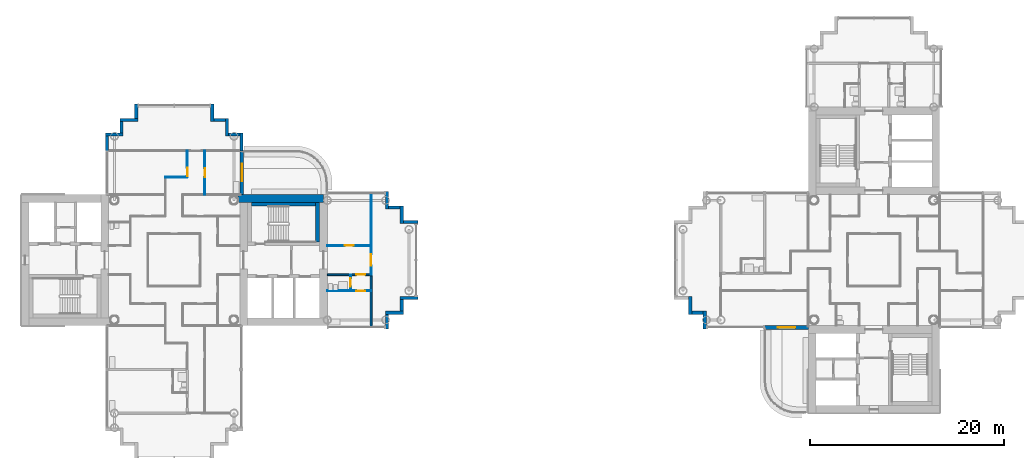
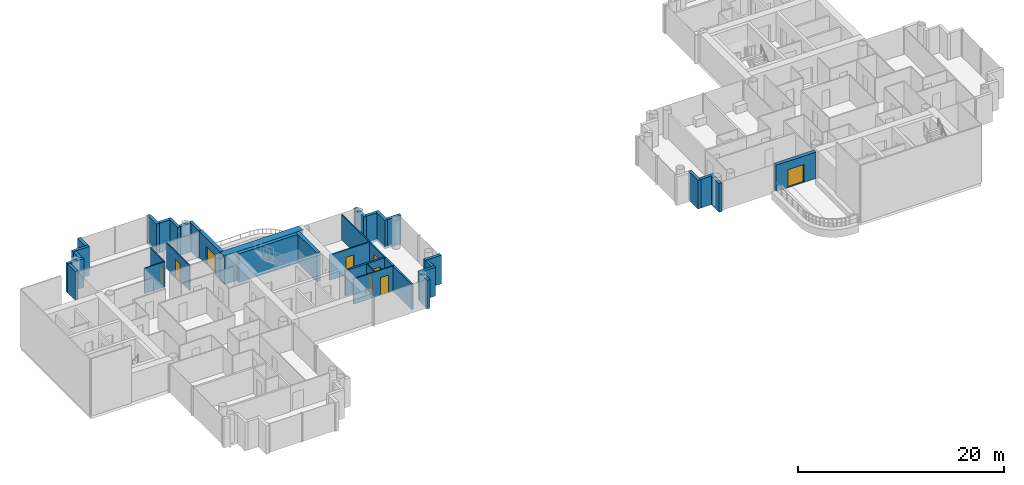
# One storey, part 9 of 19: 35 walls, 9 doors, 9 openings.
"""IFC4 building model written with IfcOpenShell, lengths in metres."""

from ifc_helpers import new_model, si_unit, direction, frame, frame_2d, origin, place, context, subcontext, project, spatial, rectangle, extrude, material, layer, layer_set, type_object, element, fill, save


model = new_model("IFC4")

# Units and contexts
model_context = context("Model", 3, precision=1e-05, world=origin(), true_north=direction((0.0, 1.0)))
body_context = subcontext(model_context, "Body", "Model", "MODEL_VIEW")
ifc_project = project(units=[si_unit("LENGTHUNIT", "METRE"), si_unit("AREAUNIT", "SQUARE_METRE"), si_unit("VOLUMEUNIT", "CUBIC_METRE"), si_unit("PLANEANGLEUNIT", "RADIAN"), si_unit("MASSUNIT", "GRAM", prefix="KILO")], contexts=[model_context])

# Site, building, storey
site_placement = place(None, origin())
site = spatial("IfcSite", under=ifc_project, at=site_placement, CompositionType="ELEMENT")
building_placement = place(site_placement, origin())
building = spatial("IfcBuilding", under=site, at=building_placement, Name="Ipe Terrace Towers", CompositionType="ELEMENT")
storey_placement = place(building_placement, frame((0.0, 0.0, 174.5)))
storey = spatial("IfcBuildingStorey", under=building, at=storey_placement, Name="L48", CompositionType="ELEMENT", Elevation=174.5)

# Wall, opening, door
ifc_material_1 = material(Name="Concrete C40/50 with buff precast cladding", Category="concrete")
ifc_layer_1 = layer(ifc_material_1, 0.39990234375)
ifc_layer_set_1 = layer_set([ifc_layer_1], Name="BALCONY BAY WALL 400")
wall_type_1 = type_object("IfcWallType", Name="BALCONY BAY WALL 400", PredefinedType="STANDARD", material=ifc_layer_set_1)
wall_1_placement = place(storey_placement, frame((-29.050048828125, 6.75, -0.02001953125), z_axis=(0.0, 0.0, 1.0), x_axis=(0.0, 1.0, 0.0)))
wall_1 = element("IfcWall", 1, at=wall_1_placement, inside=storey, type_object=wall_type_1, Name="T1-W-L48-28a wall", PredefinedType="STANDARD", context=body_context, shape_type="SweptSolid", body=[
    extrude(rectangle(XDim=4.5, YDim=0.39990234375, at=frame_2d((2.25, 0.0))), origin(), (0.0, 0.0, 1.0), 3.1201171875),
])
opening_1_placement = place(wall_1_placement, frame((1.35009765625, 0.0, 0.02001953125)))
opening_1 = element("IfcOpeningElement", 2, at=opening_1_placement, cuts=wall_1, Name="Opening T1-D-L48-28", PredefinedType="OPENING", context=body_context, shape_type="SweptSolid", body=[
    extrude(rectangle(XDim=1.800048828125, YDim=2.10009765625, at=frame_2d((0.89990234375, 1.050048828125))), frame((0.0, 0.2099609375, 0.0), z_axis=(0.0, -1.0, 0.0), x_axis=(1.0, 0.0, 0.0)), (0.0, 0.0, 1.0), 0.419921875),
])
ifc_material_2 = material(Name="Aluminium alloy 6063-T6 framed glazed door", Category="aluminium")
door_type_1 = type_object("IfcDoorType", Name="BALCONY DOOR 1800 x 2100 LEFT", OperationType="SINGLE_SWING_LEFT", PredefinedType="DOOR", material=ifc_material_2)
door_1_placement = place(opening_1_placement, origin())
door_1 = element("IfcDoor", 3, at=door_1_placement, inside=storey, type_object=door_type_1, Name="DB1 door", OperationType="SINGLE_SWING_LEFT", OverallHeight=2.10009765625, OverallWidth=1.800048828125, PredefinedType="DOOR", context=body_context, shape_type="SweptSolid", body=[
    extrude(rectangle(XDim=1.800048828125, YDim=2.10009765625, at=frame_2d((0.89990234375, 1.050048828125))), frame((0.0, 0.02490234375, 0.0), z_axis=(0.0, -1.0, 0.0), x_axis=(1.0, 0.0, 0.0)), (0.0, 0.0, 1.0), 0.050048828125),
])
fill(opening_1, door_1)

wall_2_placement = place(storey_placement, frame((24.75, -6.949951171875, -0.02001953125), z_axis=(0.0, 0.0, 1.0), x_axis=(1.0, 0.0, 0.0)))
wall_2 = element("IfcWall", 4, at=wall_2_placement, inside=storey, type_object=wall_type_1, Name="T2-W-L48-40a wall", PredefinedType="STANDARD", context=body_context, shape_type="SweptSolid", body=[
    extrude(rectangle(XDim=4.5, YDim=0.39990234375, at=frame_2d((2.25, 0.0))), origin(), (0.0, 0.0, 1.0), 3.1201171875),
])
opening_2_placement = place(wall_2_placement, frame((1.35009765625, 0.0, 0.02001953125)))
opening_2 = element("IfcOpeningElement", 5, at=opening_2_placement, cuts=wall_2, Name="Opening T2-D-L48-40", PredefinedType="OPENING", context=body_context, shape_type="SweptSolid", body=[
    extrude(rectangle(XDim=1.800048828125, YDim=2.10009765625, at=frame_2d((0.89990234375, 1.050048828125))), frame((0.0, 0.2099609375, 0.0), z_axis=(0.0, -1.0, 0.0), x_axis=(1.0, 0.0, 0.0)), (0.0, 0.0, 1.0), 0.419921875),
])
ifc_material_3 = material(Name="Aluminium alloy 6063-T6 framed glazed door", Category="aluminium")
door_type_2 = type_object("IfcDoorType", Name="BALCONY DOOR 1800 x 2100 RIGHT", OperationType="SINGLE_SWING_RIGHT", PredefinedType="DOOR", material=ifc_material_3)
door_2_placement = place(opening_2_placement, origin())
door_2 = element("IfcDoor", 6, at=door_2_placement, inside=storey, type_object=door_type_2, Name="DB2 door", OperationType="SINGLE_SWING_RIGHT", OverallHeight=2.10009765625, OverallWidth=1.800048828125, PredefinedType="DOOR", context=body_context, shape_type="SweptSolid", body=[
    extrude(rectangle(XDim=1.800048828125, YDim=2.10009765625, at=frame_2d((0.89990234375, 1.050048828125))), frame((0.0, 0.02490234375, 0.0), z_axis=(0.0, -1.0, 0.0), x_axis=(1.0, 0.0, 0.0)), (0.0, 0.0, 1.0), 0.050048828125),
])
fill(opening_2, door_2)

# Walls
ifc_material_4 = material(Name="Concrete C40/50 with buff precast cladding", Category="concrete")
ifc_layer_2 = layer(ifc_material_4, 0.320068359375)
ifc_layer_set_2 = layer_set([ifc_layer_2], Name="BUFF CLADDING WALL 320")
wall_type_2 = type_object("IfcWallType", Name="BUFF CLADDING WALL 320", PredefinedType="STANDARD", material=ifc_layer_set_2)
wall_3_placement = place(storey_placement, frame((-14.090087890625, -7.070068359375, -0.300048828125), z_axis=(0.0, 0.0, 1.0), x_axis=(0.0, 1.0, 0.0)))
element("IfcWall", 7, at=wall_3_placement, inside=storey, type_object=wall_type_2, Name="T1-W-L48-17a wall", PredefinedType="STANDARD", context=body_context, shape_type="SweptSolid", body=[
    extrude(rectangle(XDim=1.5, YDim=0.320068359375, at=frame_2d((0.75, 0.0))), origin(), (0.0, 0.0, 1.0), 3.400146484375),
])
wall_4_placement = place(storey_placement, frame((-14.25, -5.409912109375, -0.300048828125), z_axis=(0.0, 0.0, 1.0), x_axis=(1.0, 0.0, 0.0)))
element("IfcWall", 8, at=wall_4_placement, inside=storey, type_object=wall_type_2, Name="T1-W-L48-18a wall", PredefinedType="STANDARD", context=body_context, shape_type="SweptSolid", body=[
    extrude(rectangle(XDim=1.820068359375, YDim=0.320068359375, at=frame_2d((0.91015625, 0.0))), origin(), (0.0, 0.0, 1.0), 3.400146484375),
])
wall_5_placement = place(storey_placement, frame((-12.590087890625, -5.25, -0.300048828125), z_axis=(0.0, 0.0, 1.0), x_axis=(0.0, 1.0, 0.0)))
element("IfcWall", 9, at=wall_5_placement, inside=storey, type_object=wall_type_2, Name="T1-W-L48-19a wall", PredefinedType="STANDARD", context=body_context, shape_type="SweptSolid", body=[
    extrude(rectangle(XDim=1.179931640625, YDim=0.320068359375, at=frame_2d((0.58984375, 0.0))), origin(), (0.0, 0.0, 1.0), 3.400146484375),
])
wall_6_placement = place(storey_placement, frame((-12.75, -3.909912109375, -0.300048828125), z_axis=(0.0, 0.0, 1.0), x_axis=(1.0, 0.0, 0.0)))
element("IfcWall", 10, at=wall_6_placement, inside=storey, type_object=wall_type_2, Name="T1-W-L48-20a wall", PredefinedType="STANDARD", context=body_context, shape_type="SweptSolid", body=[
    extrude(rectangle(XDim=1.820068359375, YDim=0.320068359375, at=frame_2d((0.91015625, 0.0))), origin(), (0.0, 0.0, 1.0), 3.400146484375),
])
wall_7_placement = place(storey_placement, frame((-10.929931640625, 3.909912109375, -0.300048828125), z_axis=(0.0, 0.0, 1.0), x_axis=(-1.0, 0.0, 0.0)))
element("IfcWall", 11, at=wall_7_placement, inside=storey, type_object=wall_type_2, Name="T1-W-L48-22a wall", PredefinedType="STANDARD", context=body_context, shape_type="SweptSolid", body=[
    extrude(rectangle(XDim=1.5, YDim=0.320068359375, at=frame_2d((0.75, 0.0))), origin(), (0.0, 0.0, 1.0), 3.400146484375),
])
wall_8_placement = place(storey_placement, frame((-12.590087890625, 3.75, -0.300048828125), z_axis=(0.0, 0.0, 1.0), x_axis=(0.0, 1.0, 0.0)))
element("IfcWall", 12, at=wall_8_placement, inside=storey, type_object=wall_type_2, Name="T1-W-L48-23a wall", PredefinedType="STANDARD", context=body_context, shape_type="SweptSolid", body=[
    extrude(rectangle(XDim=1.820068359375, YDim=0.320068359375, at=frame_2d((0.91015625, 0.0))), origin(), (0.0, 0.0, 1.0), 3.400146484375),
])
wall_9_placement = place(storey_placement, frame((-12.75, 5.409912109375, -0.300048828125), z_axis=(0.0, 0.0, 1.0), x_axis=(-1.0, 0.0, 0.0)))
element("IfcWall", 13, at=wall_9_placement, inside=storey, type_object=wall_type_2, Name="T1-W-L48-24a wall", PredefinedType="STANDARD", context=body_context, shape_type="SweptSolid", body=[
    extrude(rectangle(XDim=1.179931640625, YDim=0.320068359375, at=frame_2d((0.58984375, 0.0))), origin(), (0.0, 0.0, 1.0), 3.400146484375),
])
for number, where, z_axis, x_axis, name in (
    (14, (-14.090087890625, 5.25, -0.300048828125), (0.0, 0.0, 1.0), (0.0, 1.0, 0.0), "T1-W-L48-25a wall"),
    (15, (-29.090087890625, 11.25, -0.300048828125), (0.0, 0.0, 1.0), (0.0, 1.0, 0.0), "T1-W-L48-29a wall"),
):
    element("IfcWall", number, at=place(storey_placement, frame(where, z_axis=z_axis, x_axis=x_axis)), inside=storey, type_object=wall_type_2, Name=name, PredefinedType="STANDARD", context=body_context, shape_type="SweptSolid", body=[
        extrude(rectangle(XDim=1.820068359375, YDim=0.320068359375, at=frame_2d((0.91015625, 0.0))), origin(), (0.0, 0.0, 1.0), 3.400146484375),
    ])
wall_10_placement = place(storey_placement, frame((-29.25, 12.909912109375, -0.300048828125), z_axis=(0.0, 0.0, 1.0), x_axis=(-1.0, 0.0, 0.0)))
element("IfcWall", 16, at=wall_10_placement, inside=storey, type_object=wall_type_2, Name="T1-W-L48-30a wall", PredefinedType="STANDARD", context=body_context, shape_type="SweptSolid", body=[
    extrude(rectangle(XDim=1.179931640625, YDim=0.320068359375, at=frame_2d((0.58984375, 0.0))), origin(), (0.0, 0.0, 1.0), 3.400146484375),
])
wall_11_placement = place(storey_placement, frame((-30.590087890625, 12.75, -0.300048828125), z_axis=(0.0, 0.0, 1.0), x_axis=(0.0, 1.0, 0.0)))
element("IfcWall", 17, at=wall_11_placement, inside=storey, type_object=wall_type_2, Name="T1-W-L48-31a wall", PredefinedType="STANDARD", context=body_context, shape_type="SweptSolid", body=[
    extrude(rectangle(XDim=1.820068359375, YDim=0.320068359375, at=frame_2d((0.91015625, 0.0))), origin(), (0.0, 0.0, 1.0), 3.400146484375),
])
wall_12_placement = place(storey_placement, frame((-30.75, 14.409912109375, -0.300048828125), z_axis=(0.0, 0.0, 1.0), x_axis=(-1.0, 0.0, 0.0)))
element("IfcWall", 18, at=wall_12_placement, inside=storey, type_object=wall_type_2, Name="T1-W-L48-32a wall", PredefinedType="STANDARD", context=body_context, shape_type="SweptSolid", body=[
    extrude(rectangle(XDim=1.179931640625, YDim=0.320068359375, at=frame_2d((0.58984375, 0.0))), origin(), (0.0, 0.0, 1.0), 3.400146484375),
])
wall_13_placement = place(storey_placement, frame((-32.090087890625, 14.25, -0.300048828125), z_axis=(0.0, 0.0, 1.0), x_axis=(0.0, 1.0, 0.0)))
element("IfcWall", 19, at=wall_13_placement, inside=storey, type_object=wall_type_2, Name="T1-W-L48-33a wall", PredefinedType="STANDARD", context=body_context, shape_type="SweptSolid", body=[
    extrude(rectangle(XDim=1.820068359375, YDim=0.320068359375, at=frame_2d((0.91015625, 0.0))), origin(), (0.0, 0.0, 1.0), 3.400146484375),
])
wall_14_placement = place(storey_placement, frame((-39.909912109375, 16.070068359375, -0.300048828125), z_axis=(0.0, 0.0, 1.0), x_axis=(0.0, -1.0, 0.0)))
element("IfcWall", 20, at=wall_14_placement, inside=storey, type_object=wall_type_2, Name="T1-W-L48-35a wall", PredefinedType="STANDARD", context=body_context, shape_type="SweptSolid", body=[
    extrude(rectangle(XDim=1.5, YDim=0.320068359375, at=frame_2d((0.75, 0.0))), origin(), (0.0, 0.0, 1.0), 3.400146484375),
])
wall_15_placement = place(storey_placement, frame((-39.75, 14.409912109375, -0.300048828125), z_axis=(0.0, 0.0, 1.0), x_axis=(-1.0, 0.0, 0.0)))
element("IfcWall", 21, at=wall_15_placement, inside=storey, type_object=wall_type_2, Name="T1-W-L48-36a wall", PredefinedType="STANDARD", context=body_context, shape_type="SweptSolid", body=[
    extrude(rectangle(XDim=1.820068359375, YDim=0.320068359375, at=frame_2d((0.91015625, 0.0))), origin(), (0.0, 0.0, 1.0), 3.400146484375),
])
wall_16_placement = place(storey_placement, frame((-41.409912109375, 14.25, -0.300048828125), z_axis=(0.0, 0.0, 1.0), x_axis=(0.0, -1.0, 0.0)))
element("IfcWall", 22, at=wall_16_placement, inside=storey, type_object=wall_type_2, Name="T1-W-L48-37a wall", PredefinedType="STANDARD", context=body_context, shape_type="SweptSolid", body=[
    extrude(rectangle(XDim=1.179931640625, YDim=0.320068359375, at=frame_2d((0.58984375, 0.0))), origin(), (0.0, 0.0, 1.0), 3.400146484375),
])
wall_17_placement = place(storey_placement, frame((-41.25, 12.909912109375, -0.300048828125), z_axis=(0.0, 0.0, 1.0), x_axis=(-1.0, 0.0, 0.0)))
element("IfcWall", 23, at=wall_17_placement, inside=storey, type_object=wall_type_2, Name="T1-W-L48-38a wall", PredefinedType="STANDARD", context=body_context, shape_type="SweptSolid", body=[
    extrude(rectangle(XDim=1.820068359375, YDim=0.320068359375, at=frame_2d((0.91015625, 0.0))), origin(), (0.0, 0.0, 1.0), 3.400146484375),
])
wall_18_placement = place(storey_placement, frame((-42.909912109375, 12.75, -0.300048828125), z_axis=(0.0, 0.0, 1.0), x_axis=(0.0, -1.0, 0.0)))
element("IfcWall", 24, at=wall_18_placement, inside=storey, type_object=wall_type_2, Name="T1-W-L48-39a wall", PredefinedType="STANDARD", context=body_context, shape_type="SweptSolid", body=[
    extrude(rectangle(XDim=1.5, YDim=0.320068359375, at=frame_2d((0.75, 0.0))), origin(), (0.0, 0.0, 1.0), 3.400146484375),
])
wall_19_placement = place(storey_placement, frame((17.090087890625, -3.75, -0.300048828125), z_axis=(0.0, 0.0, 1.0), x_axis=(0.0, -1.0, 0.0)))
element("IfcWall", 25, at=wall_19_placement, inside=storey, type_object=wall_type_2, Name="T2-W-L48-36a wall", PredefinedType="STANDARD", context=body_context, shape_type="SweptSolid", body=[
    extrude(rectangle(XDim=1.820068359375, YDim=0.320068359375, at=frame_2d((0.91015625, 0.0))), origin(), (0.0, 0.0, 1.0), 3.400146484375),
])
wall_20_placement = place(storey_placement, frame((17.25, -5.409912109375, -0.300048828125), z_axis=(0.0, 0.0, 1.0), x_axis=(1.0, 0.0, 0.0)))
element("IfcWall", 26, at=wall_20_placement, inside=storey, type_object=wall_type_2, Name="T2-W-L48-37a wall", PredefinedType="STANDARD", context=body_context, shape_type="SweptSolid", body=[
    extrude(rectangle(XDim=1.179931640625, YDim=0.320068359375, at=frame_2d((0.58984375, 0.0))), origin(), (0.0, 0.0, 1.0), 3.400146484375),
])
wall_21_placement = place(storey_placement, frame((18.590087890625, -5.25, -0.300048828125), z_axis=(0.0, 0.0, 1.0), x_axis=(0.0, -1.0, 0.0)))
element("IfcWall", 27, at=wall_21_placement, inside=storey, type_object=wall_type_2, Name="T2-W-L48-38a wall", PredefinedType="STANDARD", context=body_context, shape_type="SweptSolid", body=[
    extrude(rectangle(XDim=1.820068359375, YDim=0.320068359375, at=frame_2d((0.91015625, 0.0))), origin(), (0.0, 0.0, 1.0), 3.400146484375),
])

# Wall, opening, door
ifc_material_5 = material(Name="Gypsum board partition", Category="plasterboard")
ifc_layer_3 = layer(ifc_material_5, 0.10009765625)
ifc_layer_set_3 = layer_set([ifc_layer_3], Name="Gypsum board partition 100 mm")
wall_type_3 = type_object("IfcWallType", Name="Gypsum board partition 100 mm", PredefinedType="PARTITIONING", material=ifc_layer_set_3)
wall_22_placement = place(storey_placement, frame((-34.64990234375, 8.550048828125, 0.0), z_axis=(0.0, 0.0, 1.0), x_axis=(0.0, 1.0, 0.0)))
wall_22 = element("IfcWall", 28, at=wall_22_placement, inside=storey, type_object=wall_type_3, Name="Gypsum board partition T1 L48 W10", PredefinedType="PARTITIONING", context=body_context, shape_type="SweptSolid", body=[
    extrude(rectangle(XDim=2.699951171875, YDim=0.10009765625, at=frame_2d((1.35009765625, 0.0))), origin(), (0.0, 0.0, 1.0), 3.0),
])
opening_3_placement = place(wall_22_placement, frame((0.070068359375, 0.0, 0.0)))
opening_3 = element("IfcOpeningElement", 29, at=opening_3_placement, cuts=wall_22, Name="Opening T1-Z3D-10", PredefinedType="OPENING", context=body_context, shape_type="SweptSolid", body=[
    extrude(rectangle(XDim=0.89990234375, YDim=2.10009765625, at=frame_2d((0.449951171875, 1.050048828125))), frame((0.0, 0.06005859375, 0.0), z_axis=(0.0, -1.0, 0.0), x_axis=(1.0, 0.0, 0.0)), (0.0, 0.0, 1.0), 0.1201171875),
])
ifc_material_6 = material(Name="Timber door leaf", Category="wood")
door_type_3 = type_object("IfcDoorType", Name="Lounge door 900 x 2100", OperationType="NOTDEFINED", PredefinedType="DOOR", material=ifc_material_6)
door_3_placement = place(opening_3_placement, origin())
door_3 = element("IfcDoor", 30, at=door_3_placement, inside=storey, type_object=door_type_3, Name="Lounge door T1-Z3D-10", OperationType="SINGLE_SWING_RIGHT", OverallHeight=2.10009765625, OverallWidth=0.89990234375, PredefinedType="DOOR", context=body_context, shape_type="SweptSolid", body=[
    extrude(rectangle(XDim=0.89990234375, YDim=2.10009765625, at=frame_2d((0.449951171875, 1.050048828125))), frame((0.0, 0.02490234375, 0.0), z_axis=(0.0, -1.0, 0.0), x_axis=(1.0, 0.0, 0.0)), (0.0, 0.0, 1.0), 0.050048828125),
])
fill(opening_3, door_3)

wall_23_placement = place(storey_placement, frame((-32.85009765625, 6.75, 0.0), z_axis=(0.0, 0.0, 1.0), x_axis=(0.0, 1.0, 0.0)))
wall_23 = element("IfcWall", 31, at=wall_23_placement, inside=storey, type_object=wall_type_3, Name="Gypsum board partition T1 L48 W14", PredefinedType="PARTITIONING", context=body_context, shape_type="SweptSolid", body=[
    extrude(rectangle(XDim=4.5, YDim=0.10009765625, at=frame_2d((2.25, 0.0))), origin(), (0.0, 0.0, 1.0), 3.0),
])
opening_4_placement = place(wall_23_placement, frame((1.800048828125, 0.0, 0.0)))
opening_4 = element("IfcOpeningElement", 32, at=opening_4_placement, cuts=wall_23, Name="Opening T1-Z3D-11", PredefinedType="OPENING", context=body_context, shape_type="SweptSolid", body=[
    extrude(rectangle(XDim=0.89990234375, YDim=2.10009765625, at=frame_2d((0.449951171875, 1.050048828125))), frame((0.0, 0.06005859375, 0.0), z_axis=(0.0, -1.0, 0.0), x_axis=(1.0, 0.0, 0.0)), (0.0, 0.0, 1.0), 0.1201171875),
])
door_4_placement = place(opening_4_placement, origin())
door_4 = element("IfcDoor", 33, at=door_4_placement, inside=storey, type_object=door_type_3, Name="Lounge door T1-Z3D-11", OperationType="SINGLE_SWING_RIGHT", OverallHeight=2.10009765625, OverallWidth=0.89990234375, PredefinedType="DOOR", context=body_context, shape_type="SweptSolid", body=[
    extrude(rectangle(XDim=0.89990234375, YDim=2.10009765625, at=frame_2d((0.449951171875, 1.050048828125))), frame((0.0, 0.02490234375, 0.0), z_axis=(0.0, -1.0, 0.0), x_axis=(1.0, 0.0, 0.0)), (0.0, 0.0, 1.0), 0.050048828125),
])
fill(opening_4, door_4)

wall_24_placement = place(storey_placement, frame((-17.85009765625, -3.14990234375, 0.0), z_axis=(0.0, 0.0, 1.0), x_axis=(0.0, 1.0, 0.0)))
wall_24 = element("IfcWall", 34, at=wall_24_placement, inside=storey, type_object=wall_type_3, Name="Gypsum board partition T1 L48 W17", PredefinedType="PARTITIONING", context=body_context, shape_type="SweptSolid", body=[
    extrude(rectangle(XDim=1.64990234375, YDim=0.10009765625, at=frame_2d((0.824951171875, 0.0))), origin(), (0.0, 0.0, 1.0), 3.0),
])
opening_5_placement = place(wall_24_placement, frame((0.39990234375, 0.0, 0.0)))
opening_5 = element("IfcOpeningElement", 35, at=opening_5_placement, cuts=wall_24, Name="Opening T1-Z3D-21", PredefinedType="OPENING", context=body_context, shape_type="SweptSolid", body=[
    extrude(rectangle(XDim=0.89990234375, YDim=2.10009765625, at=frame_2d((0.449951171875, 1.050048828125))), frame((0.0, 0.06005859375, 0.0), z_axis=(0.0, -1.0, 0.0), x_axis=(1.0, 0.0, 0.0)), (0.0, 0.0, 1.0), 0.1201171875),
])
ifc_material_7 = material(Name="Timber door leaf", Category="wood")
door_type_4 = type_object("IfcDoorType", Name="Bathroom door 900 x 2100", OperationType="NOTDEFINED", PredefinedType="DOOR", material=ifc_material_7)
door_5_placement = place(opening_5_placement, origin())
door_5 = element("IfcDoor", 36, at=door_5_placement, inside=storey, type_object=door_type_4, Name="Bathroom door T1-Z3D-21", OperationType="SINGLE_SWING_LEFT", OverallHeight=2.10009765625, OverallWidth=0.89990234375, PredefinedType="DOOR", context=body_context, shape_type="SweptSolid", body=[
    extrude(rectangle(XDim=0.89990234375, YDim=2.10009765625, at=frame_2d((0.449951171875, 1.050048828125))), frame((0.0, 0.02490234375, 0.0), z_axis=(0.0, -1.0, 0.0), x_axis=(1.0, 0.0, 0.0)), (0.0, 0.0, 1.0), 0.050048828125),
])
fill(opening_5, door_5)

wall_25_placement = place(storey_placement, frame((-15.75, -1.5, 0.0), z_axis=(0.0, 0.0, 1.0), x_axis=(0.0, 1.0, 0.0)))
wall_25 = element("IfcWall", 37, at=wall_25_placement, inside=storey, type_object=wall_type_3, Name="Gypsum board partition T1 L48 W18", PredefinedType="PARTITIONING", context=body_context, shape_type="SweptSolid", body=[
    extrude(rectangle(XDim=8.35009765625, YDim=0.10009765625, at=frame_2d((4.175048828125, 0.0))), origin(), (0.0, 0.0, 1.0), 3.0),
])
opening_6_placement = place(wall_25_placement, frame((0.89990234375, 0.0, 0.0)))
opening_6 = element("IfcOpeningElement", 38, at=opening_6_placement, cuts=wall_25, Name="Opening T1-Z3D-22", PredefinedType="OPENING", context=body_context, shape_type="SweptSolid", body=[
    extrude(rectangle(XDim=1.199951171875, YDim=2.10009765625, at=frame_2d((0.60009765625, 1.050048828125))), frame((0.0, 0.06005859375, 0.0), z_axis=(0.0, -1.0, 0.0), x_axis=(1.0, 0.0, 0.0)), (0.0, 0.0, 1.0), 0.1201171875),
])
ifc_material_8 = material(Name="Timber door leaf", Category="wood")
door_type_5 = type_object("IfcDoorType", Name="Lounge door 1200 x 2100", OperationType="NOTDEFINED", PredefinedType="DOOR", material=ifc_material_8)
door_6_placement = place(opening_6_placement, origin())
door_6 = element("IfcDoor", 39, at=door_6_placement, inside=storey, type_object=door_type_5, Name="Lounge door T1-Z3D-22", OperationType="SINGLE_SWING_LEFT", OverallHeight=2.10009765625, OverallWidth=1.199951171875, PredefinedType="DOOR", context=body_context, shape_type="SweptSolid", body=[
    extrude(rectangle(XDim=1.199951171875, YDim=2.10009765625, at=frame_2d((0.60009765625, 1.050048828125))), frame((0.0, 0.02490234375, 0.0), z_axis=(0.0, -1.0, 0.0), x_axis=(1.0, 0.0, 0.0)), (0.0, 0.0, 1.0), 0.050048828125),
])
fill(opening_6, door_6)

wall_26_placement = place(storey_placement, frame((-20.25, -3.14990234375, 0.0), z_axis=(0.0, 0.0, 1.0), x_axis=(1.0, 0.0, 0.0)))
wall_26 = element("IfcWall", 40, at=wall_26_placement, inside=storey, type_object=wall_type_3, Name="Gypsum board partition T1 L48 W29", PredefinedType="PARTITIONING", context=body_context, shape_type="SweptSolid", body=[
    extrude(rectangle(XDim=4.5, YDim=0.10009765625, at=frame_2d((2.25, 0.0))), origin(), (0.0, 0.0, 1.0), 3.0),
])
opening_7_placement = place(wall_26_placement, frame((3.0, 0.0, 0.0)))
opening_7 = element("IfcOpeningElement", 41, at=opening_7_placement, cuts=wall_26, Name="Opening T1-Z3D-20", PredefinedType="OPENING", context=body_context, shape_type="SweptSolid", body=[
    extrude(rectangle(XDim=0.89990234375, YDim=2.10009765625, at=frame_2d((0.449951171875, 1.050048828125))), frame((0.0, 0.06005859375, 0.0), z_axis=(0.0, -1.0, 0.0), x_axis=(1.0, 0.0, 0.0)), (0.0, 0.0, 1.0), 0.1201171875),
])
ifc_material_9 = material(Name="Timber door leaf", Category="wood")
door_type_6 = type_object("IfcDoorType", Name="Bedroom door 900 x 2100", OperationType="NOTDEFINED", PredefinedType="DOOR", material=ifc_material_9)
door_7_placement = place(opening_7_placement, origin())
door_7 = element("IfcDoor", 42, at=door_7_placement, inside=storey, type_object=door_type_6, Name="Bedroom door T1-Z3D-20", OperationType="SINGLE_SWING_RIGHT", OverallHeight=2.10009765625, OverallWidth=0.89990234375, PredefinedType="DOOR", context=body_context, shape_type="SweptSolid", body=[
    extrude(rectangle(XDim=0.89990234375, YDim=2.10009765625, at=frame_2d((0.449951171875, 1.050048828125))), frame((0.0, 0.02490234375, 0.0), z_axis=(0.0, -1.0, 0.0), x_axis=(1.0, 0.0, 0.0)), (0.0, 0.0, 1.0), 0.050048828125),
])
fill(opening_7, door_7)

wall_27_placement = place(storey_placement, frame((-20.25, 1.5, 0.0), z_axis=(0.0, 0.0, 1.0), x_axis=(1.0, 0.0, 0.0)))
wall_27 = element("IfcWall", 43, at=wall_27_placement, inside=storey, type_object=wall_type_3, Name="Gypsum board partition T1 L48 W36", PredefinedType="PARTITIONING", context=body_context, shape_type="SweptSolid", body=[
    extrude(rectangle(XDim=4.5, YDim=0.10009765625, at=frame_2d((2.25, 0.0))), origin(), (0.0, 0.0, 1.0), 3.0),
])
opening_8_placement = place(wall_27_placement, frame((1.800048828125, 0.0, 0.0)))
opening_8 = element("IfcOpeningElement", 44, at=opening_8_placement, cuts=wall_27, Name="Opening T1-Z3D-18", PredefinedType="OPENING", context=body_context, shape_type="SweptSolid", body=[
    extrude(rectangle(XDim=0.89990234375, YDim=2.10009765625, at=frame_2d((0.449951171875, 1.050048828125))), frame((0.0, 0.06005859375, 0.0), z_axis=(0.0, -1.0, 0.0), x_axis=(1.0, 0.0, 0.0)), (0.0, 0.0, 1.0), 0.1201171875),
])
door_8_placement = place(opening_8_placement, origin())
door_8 = element("IfcDoor", 45, at=door_8_placement, inside=storey, type_object=door_type_3, Name="Lounge door T1-Z3D-18", OperationType="SINGLE_SWING_LEFT", OverallHeight=2.10009765625, OverallWidth=0.89990234375, PredefinedType="DOOR", context=body_context, shape_type="SweptSolid", body=[
    extrude(rectangle(XDim=0.89990234375, YDim=2.10009765625, at=frame_2d((0.449951171875, 1.050048828125))), frame((0.0, 0.02490234375, 0.0), z_axis=(0.0, -1.0, 0.0), x_axis=(1.0, 0.0, 0.0)), (0.0, 0.0, 1.0), 0.050048828125),
])
fill(opening_8, door_8)

# Walls
wall_28_placement = place(storey_placement, frame((-36.89990234375, 8.550048828125, 0.0), z_axis=(0.0, 0.0, 1.0), x_axis=(1.0, 0.0, 0.0)))
element("IfcWall", 46, at=wall_28_placement, inside=storey, type_object=wall_type_3, Name="Gypsum board partition T1 L48 W43", PredefinedType="PARTITIONING", context=body_context, shape_type="SweptSolid", body=[
    extrude(rectangle(XDim=2.25, YDim=0.10009765625, at=frame_2d((1.125, 0.0))), origin(), (0.0, 0.0, 1.0), 3.0),
])
ifc_material_10 = material(Name="Gypsum board party wall", Category="plasterboard")
ifc_layer_4 = layer(ifc_material_10, 0.199951171875)
ifc_layer_set_4 = layer_set([ifc_layer_4], Name="Gypsum board party wall 200 mm")
wall_type_4 = type_object("IfcWallType", Name="Gypsum board party wall 200 mm", PredefinedType="SOLIDWALL", material=ifc_layer_set_4)
wall_29_placement = place(storey_placement, frame((-15.75, -6.85009765625, 0.0), z_axis=(0.0, 0.0, 1.0), x_axis=(0.0, 1.0, 0.0)))
element("IfcWall", 47, at=wall_29_placement, inside=storey, type_object=wall_type_4, Name="Gypsum board party wall T1 L48 W19", PredefinedType="SOLIDWALL", context=body_context, shape_type="SweptSolid", body=[
    extrude(rectangle(XDim=5.35009765625, YDim=0.199951171875, at=frame_2d((2.675048828125, 0.0))), origin(), (0.0, 0.0, 1.0), 3.0),
])

# Wall, opening, door
wall_30_placement = place(storey_placement, frame((-20.25, -1.5, 0.0), z_axis=(0.0, 0.0, 1.0), x_axis=(1.0, 0.0, 0.0)))
wall_30 = element("IfcWall", 48, at=wall_30_placement, inside=storey, type_object=wall_type_4, Name="Gypsum board party wall T1 L48 W33", PredefinedType="SOLIDWALL", context=body_context, shape_type="SweptSolid", body=[
    extrude(rectangle(XDim=4.5, YDim=0.199951171875, at=frame_2d((2.25, 0.0))), origin(), (0.0, 0.0, 1.0), 3.0),
])
opening_9_placement = place(wall_30_placement, frame((3.0, 0.0, 0.0)))
opening_9 = element("IfcOpeningElement", 49, at=opening_9_placement, cuts=wall_30, Name="Opening T1-Z3D-19", PredefinedType="OPENING", context=body_context, shape_type="SweptSolid", body=[
    extrude(rectangle(XDim=0.89990234375, YDim=2.10009765625, at=frame_2d((0.449951171875, 1.050048828125))), frame((0.0, 0.10986328125, 0.0), z_axis=(0.0, -1.0, 0.0), x_axis=(1.0, 0.0, 0.0)), (0.0, 0.0, 1.0), 0.219970703125),
])
ifc_material_11 = material(Name="Fire-rated timber door leaf", Category="wood")
door_type_7 = type_object("IfcDoorType", Name="Flat entrance door 900 x 2100 FD30S", OperationType="NOTDEFINED", PredefinedType="DOOR", material=ifc_material_11)
door_9_placement = place(opening_9_placement, origin())
door_9 = element("IfcDoor", 50, at=door_9_placement, inside=storey, type_object=door_type_7, Name="Flat entrance door T1-Z3D-19", OperationType="SINGLE_SWING_RIGHT", OverallHeight=2.10009765625, OverallWidth=0.89990234375, PredefinedType="DOOR", context=body_context, shape_type="SweptSolid", body=[
    extrude(rectangle(XDim=0.89990234375, YDim=2.10009765625, at=frame_2d((0.449951171875, 1.050048828125))), frame((0.0, 0.02490234375, 0.0), z_axis=(0.0, -1.0, 0.0), x_axis=(1.0, 0.0, 0.0)), (0.0, 0.0, 1.0), 0.050048828125),
])
fill(opening_9, door_9)

# Walls
ifc_material_12 = material(Name="Concrete C50/60", Category="concrete")
ifc_layer_5 = layer(ifc_material_12, 0.39990234375)
ifc_layer_set_5 = layer_set([ifc_layer_5], Name="RW400 CORE INFILL WALL 400 C50-60")
wall_type_5 = type_object("IfcWallType", Name="RW400 CORE INFILL WALL 400 C50-60", PredefinedType="SHEAR", material=ifc_layer_set_5)
wall_31_placement = place(storey_placement, frame((-21.25, 1.85009765625, 0.0), z_axis=(0.0, 0.0, 1.0), x_axis=(0.0, 1.0, 0.0)))
element("IfcWall", 51, at=wall_31_placement, inside=storey, type_object=wall_type_5, Name="Core infill wall T1-C1-far", PredefinedType="SHEAR", context=body_context, shape_type="SweptSolid", body=[
    extrude(rectangle(XDim=4.099853515625, YDim=0.39990234375, at=frame_2d((2.0498046875, 0.0))), origin(), (0.0, 0.0, 1.0), 3.39990234375),
])
wall_32_placement = place(storey_placement, frame((-28.050048828125, 5.75, 0.0), z_axis=(0.0, 0.0, 1.0), x_axis=(1.0, 0.0, 0.0)))
element("IfcWall", 52, at=wall_32_placement, inside=storey, type_object=wall_type_5, Name="Core infill wall T1-C1-back", PredefinedType="SHEAR", context=body_context, shape_type="SweptSolid", body=[
    extrude(rectangle(XDim=6.60009765625, YDim=0.39990234375, at=frame_2d((3.300048828125, 0.0))), origin(), (0.0, 0.0, 1.0), 3.39990234375),
])
ifc_material_13 = material(Name="Concrete C50/60", Category="concrete")
ifc_layer_6 = layer(ifc_material_13, 0.800048828125)
ifc_layer_set_6 = layer_set([ifc_layer_6], Name="RW800 CORE WALL 800 C50-60")
wall_type_6 = type_object("IfcWallType", Name="RW800 CORE WALL 800 C50-60", PredefinedType="SHEAR", material=ifc_layer_set_6)
wall_33_placement = place(storey_placement, frame((-20.652099609375, 6.35009765625, 0.0), z_axis=(0.0, 0.0, 1.0), x_axis=(-1.0, 0.0, 0.0)))
element("IfcWall", 53, at=wall_33_placement, inside=storey, type_object=wall_type_6, Name="Core wall T1-C1-Z3-W03", PredefinedType="SHEAR", context=body_context, shape_type="SweptSolid", body=[
    extrude(rectangle(XDim=8.7958984375, YDim=0.800048828125, at=frame_2d((4.39794921875, 0.0))), origin(), (0.0, 0.0, 1.0), 3.39990234375),
])

save(model, "model.ifc")
